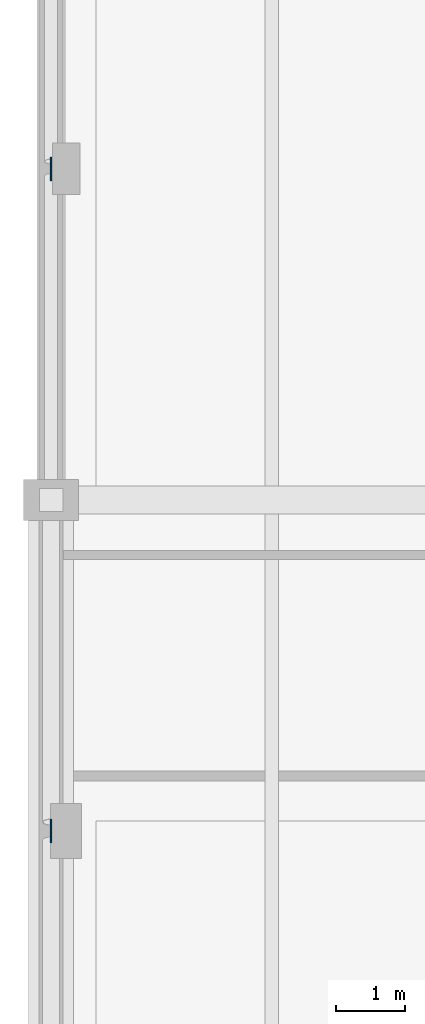
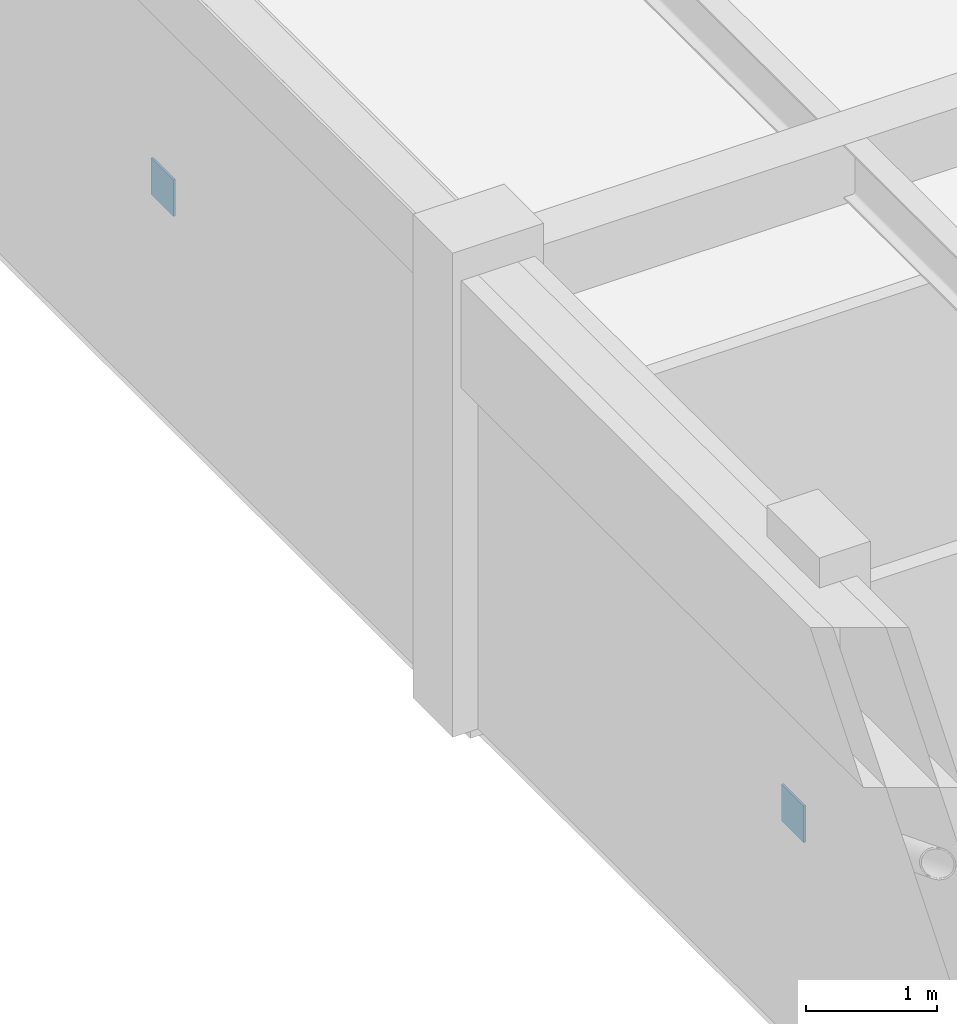
# One storey, part 83 of 109: 2 plates.
"""IFC4 building model written with IfcOpenShell, lengths in metres."""

import ifcopenshell
import ifcopenshell.guid

model = None  # the IFC model being written
_history = None  # IfcOwnerHistory: only IFC2X3 demands one
_inside = {}  # id of a spatial element -> (the spatial element, [elements in it])
_under = {}  # id of a project, library or spatial element -> (it, [spatial elements below it])
_declared = {}  # id of a project -> (the project, [libraries it declares])
_typed = {}  # id of a type object -> (the type object, [elements of that type])
_made_of = {}  # id of a material, layer set ... -> (it, [elements and type objects made of it])


def new_model(schema):
    """Start an empty IFC model of exactly this schema.

    Asked for "IFC4X3", IfcOpenShell would pick the latest addendum, in which some entities
    have other attributes; the version numbers below select the first issue.
    IFC2X3 requires an IfcOwnerHistory on every rooted entity: one is made here for all.
    """
    global model, _history
    if schema == "IFC4X3":
        model = ifcopenshell.file(schema_version=(4, 3, 0, 0))
    else:
        model = ifcopenshell.file(schema=schema)
    _inside.clear()
    _under.clear()
    _declared.clear()
    _typed.clear()
    _made_of.clear()
    _history = None
    if model.schema == "IFC2X3":
        org = make("IfcOrganization", Name="unknown")
        user = make(
            "IfcPersonAndOrganization",
            ThePerson=make("IfcPerson", FamilyName="unknown"),
            TheOrganization=org,
        )
        app = make(
            "IfcApplication",
            ApplicationDeveloper=org,
            Version="unknown",
            ApplicationFullName="unknown",
            ApplicationIdentifier="unknown",
        )
        _history = make(
            "IfcOwnerHistory",
            OwningUser=user,
            OwningApplication=app,
            ChangeAction="ADDED",
            CreationDate=0,
        )
    return model


def make(cls, **values):
    """One entity of the class cls with the attributes given. An attribute that is None is left unset."""
    return model.create_entity(
        cls, **{name: value for name, value in values.items() if value is not None}
    )


def rooted(cls, **values):
    """An entity with a GlobalId (a new one), such as an element, a storey or a relation."""
    return make(cls, GlobalId=ifcopenshell.guid.new(), OwnerHistory=_history, **values)


def si_unit(unit_type, name, prefix=None):
    """IfcSIUnit, for example si_unit("LENGTHUNIT", "METRE", prefix="MILLI")."""
    return make("IfcSIUnit", UnitType=unit_type, Prefix=prefix, Name=name)


def assignment(units):
    """IfcUnitAssignment: the units of a project."""
    return None if units is None else make("IfcUnitAssignment", Units=units)


def point(xyz):
    """IfcCartesianPoint."""
    return None if xyz is None else make("IfcCartesianPoint", Coordinates=xyz)


def direction(xyz):
    """IfcDirection."""
    return None if xyz is None else make("IfcDirection", DirectionRatios=xyz)


def frame(location, z_axis=None, x_axis=None):
    """IfcAxis2Placement3D, a coordinate frame: its origin and axes. An axis left out is left unset."""
    return make(
        "IfcAxis2Placement3D",
        Location=point(location),
        Axis=direction(z_axis),
        RefDirection=direction(x_axis),
    )


def frame_2d(location, x_axis=None):
    """IfcAxis2Placement2D, a coordinate frame in the plane: its origin and x axis."""
    return make(
        "IfcAxis2Placement2D", Location=point(location), RefDirection=direction(x_axis)
    )


def origin():
    """The frame at (0, 0, 0) with its axes left unset."""
    return frame((0.0, 0.0, 0.0))


def origin_2d():
    """The frame at (0, 0) in the plane with its x axis left unset."""
    return frame_2d((0.0, 0.0))


def place(relative_to, where):
    """IfcLocalPlacement: puts the frame where relative to a parent placement (None: the world)."""
    return make(
        "IfcLocalPlacement", PlacementRelTo=relative_to, RelativePlacement=where
    )


def context(
    kind, dimensions, precision=None, world=None, true_north=None, identifier=None
):
    """IfcGeometricRepresentationContext, for example the 3D "Model" context."""
    return make(
        "IfcGeometricRepresentationContext",
        ContextIdentifier=identifier,
        ContextType=kind,
        CoordinateSpaceDimension=dimensions,
        Precision=precision,
        WorldCoordinateSystem=world,
        TrueNorth=true_north,
    )


def subcontext(parent, identifier, kind, view, scale=None):
    """IfcGeometricRepresentationSubContext, for example "Body" below "Model"."""
    return make(
        "IfcGeometricRepresentationSubContext",
        ContextIdentifier=identifier,
        ContextType=kind,
        ParentContext=parent,
        TargetScale=scale,
        TargetView=view,
    )


def project(units=None, contexts=None):
    """IfcProject with its units and contexts."""
    return rooted(
        "IfcProject",
        Name="project",
        RepresentationContexts=contexts,
        UnitsInContext=assignment(units),
    )


def spatial(cls, under=None, at=None, **own):
    """A site, building, storey or space (cls), placed at a placement, below another one or the project."""
    s = rooted(cls, ObjectPlacement=at, **own)
    if under is not None:
        _under.setdefault(under.id(), (under, []))[1].append(s)
    return s


def profile(cls, at=None, kind="AREA", **sizes):
    """A parametric profile (cls). Its sizes go by their IFC names, for example OverallWidth=200.0."""
    return make(cls, ProfileType=kind, Position=at, **sizes)


def rectangle(**sizes):
    """IfcRectangleProfileDef."""
    return profile("IfcRectangleProfileDef", **sizes)


def extrude(swept, where, along, depth):
    """IfcExtrudedAreaSolid: the profile swept, set in the frame where, extruded along a direction by depth."""
    return make(
        "IfcExtrudedAreaSolid",
        SweptArea=swept,
        Position=where,
        ExtrudedDirection=direction(along),
        Depth=depth,
    )


def shape(context_of_items, identifier, shape_type, items):
    """IfcShapeRepresentation: the items that make up one representation, for example the "Body"."""
    return make(
        "IfcShapeRepresentation",
        ContextOfItems=context_of_items,
        RepresentationIdentifier=identifier,
        RepresentationType=shape_type,
        Items=items,
    )


def material(Name=None, Category=None):
    """IfcMaterial."""
    return make("IfcMaterial", Name=Name, Category=Category)


def layer(
    of_material, thickness, ventilated=None, Name=None, Category=None, Priority=None
):
    """IfcMaterialLayer: one layer of a wall or slab, of a material (None: an air gap)."""
    return make(
        "IfcMaterialLayer",
        Material=of_material,
        LayerThickness=thickness,
        IsVentilated=ventilated,
        Name=Name,
        Category=Category,
        Priority=Priority,
    )


def layer_set(layers, Name=None):
    """IfcMaterialLayerSet."""
    return make("IfcMaterialLayerSet", MaterialLayers=layers, LayerSetName=Name)


def made_of(thing, what):
    """Note that an element or type object is made of a material, layer set ...; save() writes the relation."""
    if what is not None:
        _made_of.setdefault(what.id(), (what, []))[1].append(thing)
    return thing


def type_object(cls, material=None, **own):
    """A type object (cls), such as IfcWallType, which elements share."""
    return made_of(rooted(cls, **own), material)


def element(
    cls,
    number,
    at=None,
    inside=None,
    cuts=None,
    type_object=None,
    material=None,
    context=None,
    identifier="Body",
    shape_type=None,
    held_by="IfcProductDefinitionShape",
    body=None,
    shapes=None,
    **own,
):
    """One element of the class cls, such as IfcWall. Its Tag is "e" and its number.

    at: its placement. inside: the storey or other place that contains it. cuts: it is an
    opening in that element (IfcRelVoidsElement). A single representation is given by context,
    identifier, shape_type and body (its items); several are given by shapes. held_by: the class
    of the entity that holds the representations. save() writes the other relations.
    """
    e = rooted(cls, Tag="e%d" % number, ObjectPlacement=at, **own)
    if body is not None:
        shapes = [shape(context, identifier, shape_type, body)]
    if shapes is not None:
        e.Representation = make(held_by, Representations=shapes)
    if inside is not None:
        _inside.setdefault(inside.id(), (inside, []))[1].append(e)
    if cuts is not None:
        rooted(
            "IfcRelVoidsElement", RelatingBuildingElement=cuts, RelatedOpeningElement=e
        )
    if type_object is not None:
        _typed.setdefault(type_object.id(), (type_object, []))[1].append(e)
    return made_of(e, material)


def aggregate(whole, parts):
    """IfcRelAggregates: a whole, such as a stair, and the parts it consists of."""
    return rooted("IfcRelAggregates", RelatingObject=whole, RelatedObjects=parts)


def save(model, path):
    """Write the relations noted so far, then the file.

    IfcRelAggregates (storeys below a building ...), IfcRelContainedInSpatialStructure (elements
    in a storey), IfcRelDefinesByType, IfcRelAssociatesMaterial and IfcRelDeclares: one each for
    every whole, place, type object, material and project.
    """
    for whole, parts in _under.values():
        aggregate(whole, parts)
    for where, things in _inside.values():
        rooted(
            "IfcRelContainedInSpatialStructure",
            RelatedElements=things,
            RelatingStructure=where,
        )
    for kind, things in _typed.values():
        rooted("IfcRelDefinesByType", RelatedObjects=things, RelatingType=kind)
    for what, things in _made_of.values():
        rooted("IfcRelAssociatesMaterial", RelatedObjects=things, RelatingMaterial=what)
    for by, libraries in _declared.values():
        rooted("IfcRelDeclares", RelatingContext=by, RelatedDefinitions=libraries)
    model.write(path)


model = new_model("IFC4")

# Units and contexts
model_context = context("Model", 3, precision=1e-05, world=origin(), true_north=direction((0.0, 1.0)))
body_context = subcontext(model_context, "Body", "Model", "MODEL_VIEW")
ifc_project = project(units=[si_unit("LENGTHUNIT", "METRE"), si_unit("AREAUNIT", "SQUARE_METRE"), si_unit("VOLUMEUNIT", "CUBIC_METRE"), si_unit("PLANEANGLEUNIT", "RADIAN"), si_unit("MASSUNIT", "GRAM", prefix="KILO")], contexts=[model_context])

# Site, building, storey
site_placement = place(None, origin())
site = spatial("IfcSite", under=ifc_project, at=site_placement, CompositionType="ELEMENT")
building_placement = place(site_placement, origin())
building = spatial("IfcBuilding", under=site, at=building_placement, Name="Fikremerkos Civic Library", CompositionType="ELEMENT")
storey_placement = place(building_placement, frame((0.0, 0.0, 5.39990234375)))
storey = spatial("IfcBuildingStorey", under=building, at=storey_placement, Name="L01", CompositionType="ELEMENT", Elevation=5.39990234375)

# Plates
ifc_material = material(Name="Steel S355", Category="steel")
ifc_layer = layer(ifc_material, 0.02001953125, Name="Steel S355")
ifc_layer_set = layer_set([ifc_layer], Name="Steel S355")
plate_type = type_object("IfcPlateType", Name="Steel gusset cap plate GSP-03 340x340x20", PredefinedType="USERDEFINED", material=ifc_layer_set)
for number, where, z_axis, x_axis, name in (
    (1, (0.0, 16.800048828125, 1.71484375), (0.0, 0.0, 1.0), (1.0, 0.0, 0.0), "Steel gusset cap plate GSP-03 #62"),
    (2, (0.0, 26.39990234375, 1.71484375), (0.0, 0.0, 1.0), (1.0, 0.0, 0.0), "Steel gusset cap plate GSP-03 #63"),
):
    element("IfcPlate", number, at=place(storey_placement, frame(where, z_axis=z_axis, x_axis=x_axis)), inside=storey, type_object=plate_type, Name=name, ObjectType="GUSSET PLATE", PredefinedType="USERDEFINED", context=body_context, shape_type="SweptSolid", body=[
        extrude(rectangle(XDim=0.02001953125, YDim=0.340087890625, at=origin_2d()), origin(), (0.0, 0.0, 1.0), 0.340087890625),
    ])

save(model, "model.ifc")
